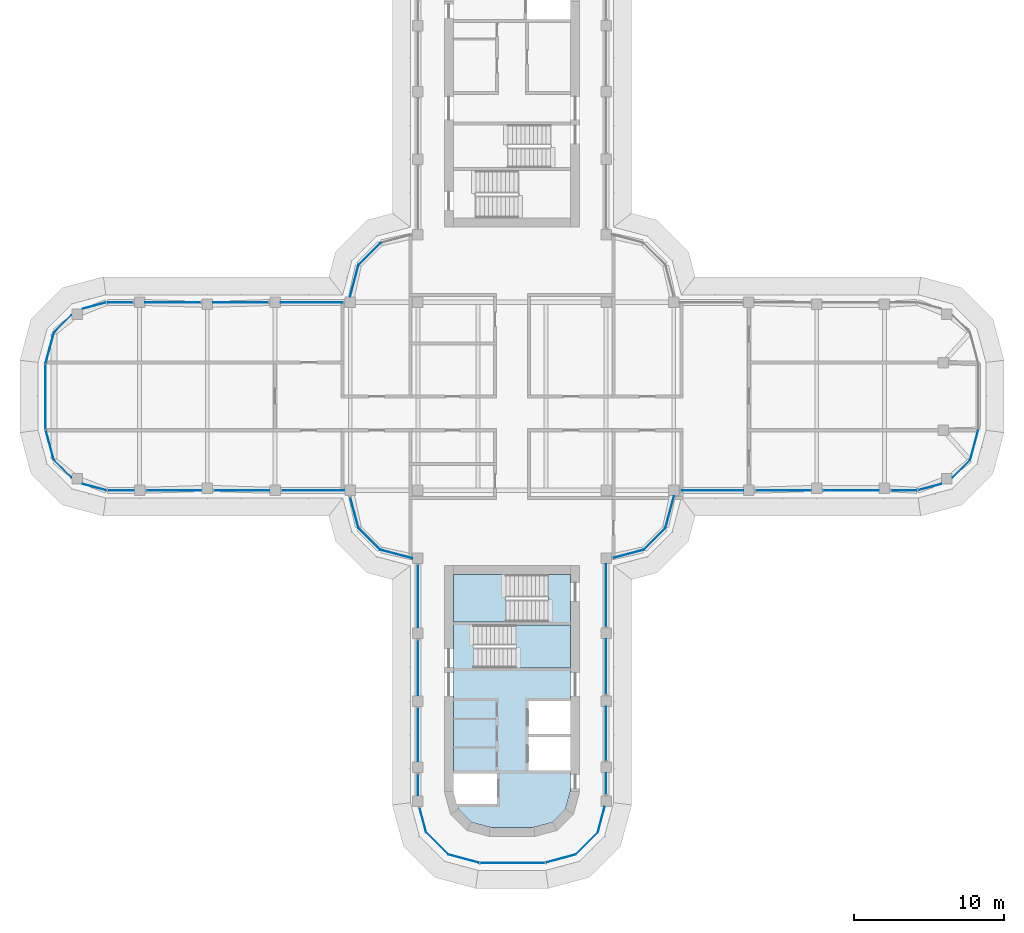
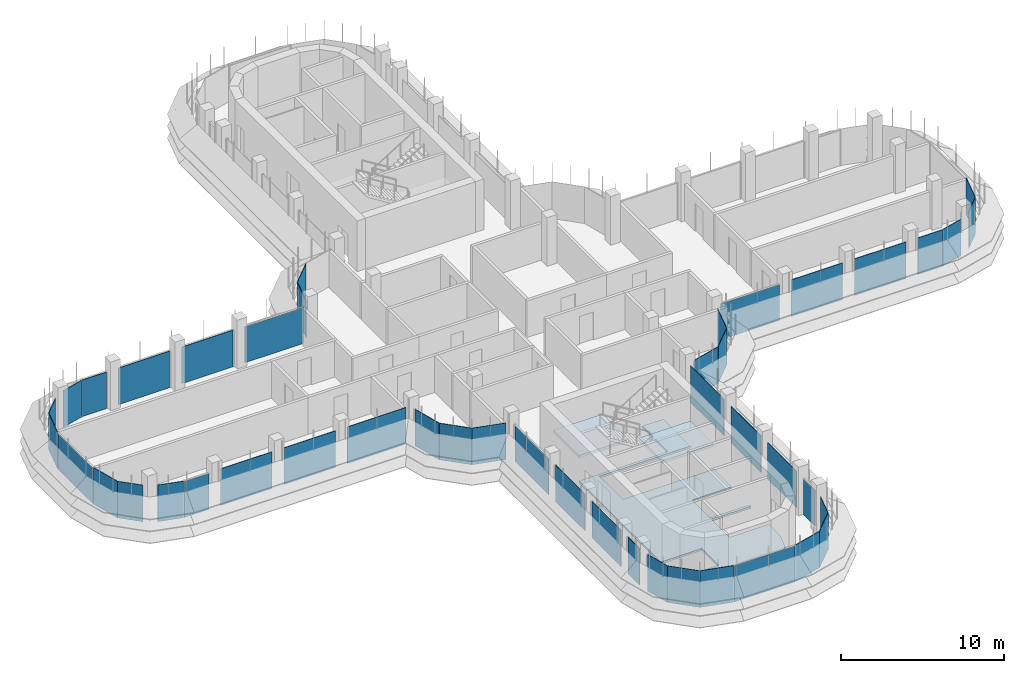
# One storey, part 11 of 19: 45 plates, 3 slabs, 32 elements without a shape of their own.
"""IFC4 building model written with IfcOpenShell, lengths in metres."""

from ifc_helpers import new_model, si_unit, direction, frame, origin, place, context, subcontext, project, spatial, polyline, outline, extrude, source, transform, mapped, material, layer, layer_set, type_object, element, aggregate, save


model = new_model("IFC4")

# Units and contexts
model_context = context("Model", 3, precision=1e-05, world=origin(), true_north=direction((0.0, 1.0)))
body_context = subcontext(model_context, "Body", "Model", "MODEL_VIEW")
ifc_project = project(units=[si_unit("LENGTHUNIT", "METRE"), si_unit("AREAUNIT", "SQUARE_METRE"), si_unit("VOLUMEUNIT", "CUBIC_METRE"), si_unit("PLANEANGLEUNIT", "RADIAN"), si_unit("MASSUNIT", "GRAM", prefix="KILO")], contexts=[model_context])

# Site, building, storey
site_placement = place(None, origin())
site = spatial("IfcSite", under=ifc_project, at=site_placement, CompositionType="ELEMENT")
building_placement = place(site_placement, origin())
building = spatial("IfcBuilding", under=site, at=building_placement, Name="Zarbagh Exchange Tower", CompositionType="ELEMENT")
storey_placement = place(building_placement, frame((0.0, 0.0, 195.39990234375)))
storey = spatial("IfcBuildingStorey", under=building, at=storey_placement, Name="L47", CompositionType="ELEMENT", Elevation=195.39990234375)

# Slab
ifc_material_1 = material(Name="Concrete C40/50", Category="concrete")
ifc_layer_1 = layer(ifc_material_1, 0.14990234375)
ifc_layer_set_1 = layer_set([ifc_layer_1], Name="Core floor slab 150 C40/50")
slab_type_1 = type_object("IfcSlabType", Name="Core floor slab 150 C40/50", PredefinedType="FLOOR", material=ifc_layer_set_1)
slab_1_placement = place(storey_placement, frame((0.0, 0.0, -0.14990234375)))
element("IfcSlab", 1, at=slab_1_placement, inside=storey, type_object=slab_type_1, Name="S17 core S", PredefinedType="FLOOR", context=body_context, shape_type="SweptSolid", body=[
    extrude(outline(polyline([(-2.689453125, -28.31005859375), (-3.56005859375, -27.439453125), (-3.651123046875, -27.10009765625), (-1.0, -27.10009765625), (-1.0, -25.050048828125), (-3.89990234375, -25.050048828125), (-3.89990234375, -15.0), (2.39990234375, -15.0), (2.39990234375, -11.85009765625), (3.89990234375, -11.85009765625), (3.89990234375, -15.199951171875), (-2.550048828125, -15.199951171875), (-2.550048828125, -18.050048828125), (3.89990234375, -18.050048828125), (3.89990234375, -20.25), (1.10009765625, -20.25), (1.10009765625, -22.449951171875), (3.89990234375, -22.449951171875), (3.89990234375, -22.64990234375), (1.10009765625, -22.64990234375), (1.10009765625, -24.85009765625), (3.89990234375, -24.85009765625), (3.89990234375, -26.1708984375), (3.56005859375, -27.439453125), (2.689453125, -28.31005859375), (1.4208984375, -28.64990234375), (-1.4208984375, -28.64990234375), (-2.689453125, -28.31005859375)])), origin(), (0.0, 0.0, 1.0), 0.14990234375),
])

# Stair, slab
stair_type = type_object("IfcStairType", Name="Exit stair two-flight half-turn", PredefinedType="HALF_TURN_STAIR", material=ifc_material_1)
stair_1_placement = place(storey_placement, origin())
stair_1 = element("IfcStair", 2, at=stair_1_placement, inside=storey, type_object=stair_type, Name="exit stair ST3", PredefinedType="HALF_TURN_STAIR")
ifc_layer_2 = layer(ifc_material_1, 0.199951171875)
ifc_layer_set_2 = layer_set([ifc_layer_2], Name="Stair landing 200 mm")
slab_type_2 = type_object("IfcSlabType", Name="Stair landing 200 mm", PredefinedType="LANDING", material=ifc_layer_set_2)
slab_2_placement = place(storey_placement, frame((0.0, 0.0, 1.7001953125)))
slab_2 = element("IfcSlab", 3, at=slab_2_placement, type_object=slab_type_2, Name="ST3 landing 1", PredefinedType="LANDING", context=body_context, shape_type="SweptSolid", body=[
    extrude(outline(polyline([(0.25, -18.050048828125), (3.89990234375, -18.050048828125), (3.89990234375, -15.199951171875), (0.25, -15.199951171875), (0.25, -18.050048828125)])), origin(), (0.0, 0.0, 1.0), 0.199951171875),
])
aggregate(stair_1, [slab_2])

stair_2_placement = place(storey_placement, origin())
stair_2 = element("IfcStair", 4, at=stair_2_placement, inside=storey, type_object=stair_type, Name="exit stair ST4", PredefinedType="HALF_TURN_STAIR")
slab_3_placement = place(storey_placement, frame((0.0, 0.0, 1.7001953125)))
slab_3 = element("IfcSlab", 5, at=slab_3_placement, type_object=slab_type_2, Name="ST4 landing 1", PredefinedType="LANDING", context=body_context, shape_type="SweptSolid", body=[
    extrude(outline(polyline([(-0.39990234375, -11.85009765625), (-3.89990234375, -11.85009765625), (-3.89990234375, -15.0), (-0.39990234375, -15.0), (-0.39990234375, -11.85009765625)])), origin(), (0.0, 0.0, 1.0), 0.199951171875),
])
aggregate(stair_2, [slab_3])

# Curtain wall, plate
ifc_material_2 = material(Name="Anodised aluminium frame and glazing", Category="aluminium")
curtain_wall_type = type_object("IfcCurtainWallType", Name="CWB Ribbon glazing, upper zones", PredefinedType="NOTDEFINED", material=ifc_material_2)
curtain_wall_1_placement = place(storey_placement, origin())
curtain_wall_1 = element("IfcCurtainWall", 6, at=curtain_wall_1_placement, inside=storey, type_object=curtain_wall_type, Name="CWB50 curtain wall", PredefinedType="NOTDEFINED")
ifc_material_3 = material(Name="Low-e double glazed unit, 6+12+6 mm")
ifc_layer_3 = layer(ifc_material_3, 0.031982421875)
ifc_layer_set_3 = layer_set([ifc_layer_3], Name="PAB Glazing panel, Low-e double glazed unit, 6+12+6 mm")
plate_type = type_object("IfcPlateType", Name="PAB Glazing panel, Low-e double glazed unit, 6+12+6 mm", PredefinedType="CURTAIN_PANEL", material=ifc_layer_set_3)
shared_shape_1 = source(origin(), body_context, "Body", "SweptSolid", [
    extrude(outline(polyline([(0.0, -0.01611328125), (2.061279296875, -0.01611328125), (2.061279296875, 0.01611328125), (0.0, 0.01611328125), (0.0, -0.01611328125)])), origin(), (0.0, 0.0, 1.0), 2.75),
])
placement = place(storey_placement, origin())
plate_1 = element("IfcPlate", 7, at=placement, type_object=plate_type, Name="CWB50 glazing panel 1.1", PredefinedType="CURTAIN_PANEL", context=body_context, shape_type="MappedRepresentation", body=[
    mapped(shared_shape_1, transform((4.2412109375, -30.44873046875, 0.0), x_axis=(0.707106781187, 0.707106781187, 0.0), y_axis=(-0.707106781187, 0.707106781187, 0.0), z_axis=(0.0, 0.0, 1.0))),
])
aggregate(curtain_wall_1, [plate_1])

curtain_wall_2_placement = place(storey_placement, origin())
curtain_wall_2 = element("IfcCurtainWall", 8, at=curtain_wall_2_placement, inside=storey, type_object=curtain_wall_type, Name="CWB06 curtain wall", PredefinedType="NOTDEFINED")
plate_2 = element("IfcPlate", 9, at=placement, type_object=plate_type, Name="CWB06 glazing panel 1.1", PredefinedType="CURTAIN_PANEL", context=body_context, shape_type="MappedRepresentation", body=[
    mapped(shared_shape_1, transform((8.7412109375, -10.19873046875, 0.0), x_axis=(0.707106781187, 0.707106781187, 0.0), y_axis=(-0.707106781187, 0.707106781187, 0.0), z_axis=(0.0, 0.0, 1.0))),
])
aggregate(curtain_wall_2, [plate_2])

curtain_wall_3_placement = place(storey_placement, origin())
curtain_wall_3 = element("IfcCurtainWall", 10, at=curtain_wall_3_placement, inside=storey, type_object=curtain_wall_type, Name="CWB30 curtain wall", PredefinedType="NOTDEFINED")
plate_3 = element("IfcPlate", 11, at=placement, type_object=plate_type, Name="CWB30 glazing panel 1.1", PredefinedType="CURTAIN_PANEL", context=body_context, shape_type="MappedRepresentation", body=[
    mapped(shared_shape_1, transform((-8.7412109375, 10.19873046875, 0.0), x_axis=(-0.707106781187, -0.707106781187, 0.0), y_axis=(0.707106781187, -0.707106781187, 0.0), z_axis=(0.0, 0.0, 1.0))),
])
aggregate(curtain_wall_3, [plate_3])

curtain_wall_4_placement = place(storey_placement, origin())
curtain_wall_4 = element("IfcCurtainWall", 12, at=curtain_wall_4_placement, inside=storey, type_object=curtain_wall_type, Name="CWB42 curtain wall", PredefinedType="NOTDEFINED")
plate_4 = element("IfcPlate", 13, at=placement, type_object=plate_type, Name="CWB42 glazing panel 1.1", PredefinedType="CURTAIN_PANEL", context=body_context, shape_type="MappedRepresentation", body=[
    mapped(shared_shape_1, transform((-10.19873046875, -8.7412109375, 0.0), x_axis=(0.707106781187, -0.707106781187, 0.0), y_axis=(0.707106781187, 0.707106781187, 0.0), z_axis=(0.0, 0.0, 1.0))),
])
aggregate(curtain_wall_4, [plate_4])

curtain_wall_5_placement = place(storey_placement, origin())
curtain_wall_5 = element("IfcCurtainWall", 14, at=curtain_wall_5_placement, inside=storey, type_object=curtain_wall_type, Name="CWB55 curtain wall", PredefinedType="NOTDEFINED")
plate_5 = element("IfcPlate", 15, at=placement, type_object=plate_type, Name="CWB55 glazing panel 1.1", PredefinedType="CURTAIN_PANEL", context=body_context, shape_type="MappedRepresentation", body=[
    mapped(shared_shape_1, transform((-5.69873046875, -28.9912109375, 0.0), x_axis=(0.707106781187, -0.707106781187, 0.0), y_axis=(0.707106781187, 0.707106781187, 0.0), z_axis=(0.0, 0.0, 1.0))),
])
aggregate(curtain_wall_5, [plate_5])

curtain_wall_6_placement = place(storey_placement, origin())
curtain_wall_6 = element("IfcCurtainWall", 16, at=curtain_wall_6_placement, inside=storey, type_object=curtain_wall_type, Name="CWB11 curtain wall", PredefinedType="NOTDEFINED")
shared_shape_2 = source(origin(), body_context, "Body", "SweptSolid", [
    extrude(outline(polyline([(0.0, -0.01611328125), (2.129638671875, -0.01611328125), (2.129638671875, 0.01611328125), (0.0, 0.01611328125), (0.0, -0.01611328125)])), origin(), (0.0, 0.0, 1.0), 2.75),
])
plate_6 = element("IfcPlate", 17, at=placement, type_object=plate_type, Name="CWB11 glazing panel 1.1", PredefinedType="CURTAIN_PANEL", context=body_context, shape_type="MappedRepresentation", body=[
    mapped(shared_shape_2, transform((30.44873046875, -4.2412109375, 0.0), x_axis=(0.258824779902, 0.965924289636, 0.0), y_axis=(-0.965924289636, 0.258824779902, 0.0), z_axis=(0.0, 0.0, 1.0))),
])
aggregate(curtain_wall_6, [plate_6])

curtain_wall_7_placement = place(storey_placement, origin())
curtain_wall_7 = element("IfcCurtainWall", 18, at=curtain_wall_7_placement, inside=storey, type_object=curtain_wall_type, Name="CWB61 curtain wall", PredefinedType="NOTDEFINED")
plate_7 = element("IfcPlate", 19, at=placement, type_object=plate_type, Name="CWB61 glazing panel 1.1", PredefinedType="CURTAIN_PANEL", context=body_context, shape_type="MappedRepresentation", body=[
    mapped(shared_shape_2, transform((-30.44873046875, 4.2412109375, 0.0), x_axis=(-0.258824779902, -0.965924289636, 0.0), y_axis=(0.965924289636, -0.258824779902, 0.0), z_axis=(0.0, 0.0, 1.0))),
])
aggregate(curtain_wall_7, [plate_7])

curtain_wall_8_placement = place(storey_placement, origin())
curtain_wall_8 = element("IfcCurtainWall", 20, at=curtain_wall_8_placement, inside=storey, type_object=curtain_wall_type, Name="CWB56 curtain wall", PredefinedType="NOTDEFINED")
plate_8 = element("IfcPlate", 21, at=placement, type_object=plate_type, Name="CWB56 glazing panel 1.1", PredefinedType="CURTAIN_PANEL", context=body_context, shape_type="MappedRepresentation", body=[
    mapped(shared_shape_2, transform((-4.2412109375, -30.44873046875, 0.0), x_axis=(0.965924289636, -0.258824779902, 0.0), y_axis=(0.258824779902, 0.965924289636, 0.0), z_axis=(0.0, 0.0, 1.0))),
])
aggregate(curtain_wall_8, [plate_8])

curtain_wall_9_placement = place(storey_placement, origin())
curtain_wall_9 = element("IfcCurtainWall", 22, at=curtain_wall_9_placement, inside=storey, type_object=curtain_wall_type, Name="CWB52 curtain wall", PredefinedType="NOTDEFINED")
shared_shape_3 = source(origin(), body_context, "Body", "SweptSolid", [
    extrude(outline(polyline([(0.0, -0.01611328125), (3.56005859375, -0.01611328125), (3.56005859375, 0.01611328125), (0.0, 0.01611328125), (0.0, -0.01611328125)])), origin(), (0.0, 0.0, 1.0), 2.75),
])
plate_9 = element("IfcPlate", 23, at=placement, type_object=plate_type, Name="CWB52 glazing panel 2.1", PredefinedType="CURTAIN_PANEL", context=body_context, shape_type="MappedRepresentation", body=[
    mapped(shared_shape_3, transform((6.25, -24.199951171875, 0.0), x_axis=(0.0, 1.0, 0.0), y_axis=(-1.0, 0.0, 0.0), z_axis=(0.0, 0.0, 1.0))),
])

curtain_wall_10_placement = place(storey_placement, origin())
curtain_wall_10 = element("IfcCurtainWall", 24, at=curtain_wall_10_placement, inside=storey, type_object=curtain_wall_type, Name="CWB53 curtain wall", PredefinedType="NOTDEFINED")
plate_10 = element("IfcPlate", 25, at=placement, type_object=plate_type, Name="CWB53 glazing panel 3.1", PredefinedType="CURTAIN_PANEL", context=body_context, shape_type="MappedRepresentation", body=[
    mapped(shared_shape_3, transform((-6.25, -20.699951171875, 0.0), x_axis=(0.0, -1.0, 0.0), y_axis=(1.0, 0.0, 0.0), z_axis=(0.0, 0.0, 1.0))),
])

curtain_wall_11_placement = place(storey_placement, origin())
curtain_wall_11 = element("IfcCurtainWall", 26, at=curtain_wall_11_placement, inside=storey, type_object=curtain_wall_type, Name="CWB66 curtain wall", PredefinedType="NOTDEFINED")
shared_shape_4 = source(origin(), body_context, "Body", "SweptSolid", [
    extrude(outline(polyline([(0.0, -0.01611328125), (4.308349609375, -0.01611328125), (4.308349609375, 0.01611328125), (0.0, 0.01611328125), (0.0, -0.01611328125)])), origin(), (0.0, 0.0, 1.0), 2.68994140625),
])
plate_11 = element("IfcPlate", 27, at=placement, type_object=plate_type, Name="CWB66 glazing panel 1.1", PredefinedType="CURTAIN_PANEL", context=body_context, shape_type="MappedRepresentation", body=[
    mapped(shared_shape_4, transform((-31.0, 2.124267578125, 0.0), x_axis=(0.0, -1.0, 0.0), y_axis=(1.0, 0.0, 0.0), z_axis=(0.0, 0.0, 1.0))),
])
aggregate(curtain_wall_11, [plate_11])

curtain_wall_12_placement = place(storey_placement, origin())
curtain_wall_12 = element("IfcCurtainWall", 28, at=curtain_wall_12_placement, inside=storey, type_object=curtain_wall_type, Name="CWB57 curtain wall", PredefinedType="NOTDEFINED")
plate_12 = element("IfcPlate", 29, at=placement, type_object=plate_type, Name="CWB57 glazing panel 1.1", PredefinedType="CURTAIN_PANEL", context=body_context, shape_type="MappedRepresentation", body=[
    mapped(shared_shape_4, transform((-2.124267578125, -31.0, 0.0), x_axis=(1.0, 0.0, 0.0), y_axis=(0.0, 1.0, 0.0), z_axis=(0.0, 0.0, 1.0))),
])
aggregate(curtain_wall_12, [plate_12])

curtain_wall_13_placement = place(storey_placement, origin())
curtain_wall_13 = element("IfcCurtainWall", 30, at=curtain_wall_13_placement, inside=storey, type_object=curtain_wall_type, Name="CWB49 curtain wall", PredefinedType="NOTDEFINED")
shared_shape_5 = source(origin(), body_context, "Body", "SweptSolid", [
    extrude(outline(polyline([(0.0, -0.01611328125), (2.069580078125, -0.01611328125), (2.069580078125, 0.01611328125), (0.0, 0.01611328125), (0.0, -0.01611328125)])), origin(), (0.0, 0.0, 1.0), 2.75),
])
plate_13 = element("IfcPlate", 31, at=placement, type_object=plate_type, Name="CWB49 glazing panel 1.1", PredefinedType="CURTAIN_PANEL", context=body_context, shape_type="MappedRepresentation", body=[
    mapped(shared_shape_5, transform((2.2421875, -30.984375, 0.0), x_axis=(0.965924289636, 0.258824779902, 0.0), y_axis=(-0.258824779902, 0.965924289636, 0.0), z_axis=(0.0, 0.0, 1.0))),
])
aggregate(curtain_wall_13, [plate_13])

curtain_wall_14_placement = place(storey_placement, origin())
curtain_wall_14 = element("IfcCurtainWall", 32, at=curtain_wall_14_placement, inside=storey, type_object=curtain_wall_type, Name="CWB62 curtain wall", PredefinedType="NOTDEFINED")
plate_14 = element("IfcPlate", 33, at=placement, type_object=plate_type, Name="CWB62 glazing panel 1.1", PredefinedType="CURTAIN_PANEL", context=body_context, shape_type="MappedRepresentation", body=[
    mapped(shared_shape_5, transform((-30.984375, -2.2421875, 0.0), x_axis=(0.258824779902, -0.965924289636, 0.0), y_axis=(0.965924289636, 0.258824779902, 0.0), z_axis=(0.0, 0.0, 1.0))),
])
aggregate(curtain_wall_14, [plate_14])

curtain_wall_15_placement = place(storey_placement, origin())
curtain_wall_15 = element("IfcCurtainWall", 34, at=curtain_wall_15_placement, inside=storey, type_object=curtain_wall_type, Name="CWB51 curtain wall", PredefinedType="NOTDEFINED")
shared_shape_6 = source(origin(), body_context, "Body", "SweptSolid", [
    extrude(outline(polyline([(0.0, -0.01611328125), (1.76123046875, -0.01611328125), (1.76123046875, 0.01611328125), (0.0, 0.01611328125), (0.0, -0.01611328125)])), origin(), (0.0, 0.0, 1.0), 2.75),
])
plate_15 = element("IfcPlate", 35, at=placement, type_object=plate_type, Name="CWB51 glazing panel 1.1", PredefinedType="CURTAIN_PANEL", context=body_context, shape_type="MappedRepresentation", body=[
    mapped(shared_shape_6, transform((5.69873046875, -28.9912109375, 0.0), x_axis=(0.258824779902, 0.965924289636, 0.0), y_axis=(-0.965924289636, 0.258824779902, 0.0), z_axis=(0.0, 0.0, 1.0))),
])
aggregate(curtain_wall_15, [plate_15])

# Plate
shared_shape_7 = source(origin(), body_context, "Body", "SweptSolid", [
    extrude(outline(polyline([(0.0, -0.01611328125), (1.409912109375, -0.01611328125), (1.409912109375, 0.01611328125), (0.0, 0.01611328125), (0.0, -0.01611328125)])), origin(), (0.0, 0.0, 1.0), 2.68994140625),
])
plate_16 = element("IfcPlate", 36, at=placement, type_object=plate_type, Name="CWB52 glazing panel 1.1", PredefinedType="CURTAIN_PANEL", context=body_context, shape_type="MappedRepresentation", body=[
    mapped(shared_shape_7, transform((6.25, -26.449951171875, 0.0), x_axis=(0.0, 1.0, 0.0), y_axis=(-1.0, 0.0, 0.0), z_axis=(0.0, 0.0, 1.0))),
])

shared_shape_8 = source(origin(), body_context, "Body", "SweptSolid", [
    extrude(outline(polyline([(0.0, -0.01611328125), (3.659912109375, -0.01611328125), (3.659912109375, 0.01611328125), (0.0, 0.01611328125), (0.0, -0.01611328125)])), origin(), (0.0, 0.0, 1.0), 2.75),
])
plate_17 = element("IfcPlate", 37, at=placement, type_object=plate_type, Name="CWB52 glazing panel 3.1", PredefinedType="CURTAIN_PANEL", context=body_context, shape_type="MappedRepresentation", body=[
    mapped(shared_shape_8, transform((6.25, -19.800048828125, 0.0), x_axis=(0.0, 1.0, 0.0), y_axis=(-1.0, 0.0, 0.0), z_axis=(0.0, 0.0, 1.0))),
])

# Curtain wall, plates
curtain_wall_16_placement = place(storey_placement, origin())
curtain_wall_16 = element("IfcCurtainWall", 38, at=curtain_wall_16_placement, inside=storey, type_object=curtain_wall_type, Name="CWB08 curtain wall", PredefinedType="NOTDEFINED")
plate_18 = element("IfcPlate", 39, at=placement, type_object=plate_type, Name="CWB08 glazing panel 2.1", PredefinedType="CURTAIN_PANEL", context=body_context, shape_type="MappedRepresentation", body=[
    mapped(shared_shape_8, transform((16.199951171875, -6.25, 0.0), x_axis=(1.0, 0.0, 0.0), y_axis=(0.0, 1.0, 0.0), z_axis=(0.0, 0.0, 1.0))),
])
plate_19 = element("IfcPlate", 40, at=placement, type_object=plate_type, Name="CWB08 glazing panel 3.1", PredefinedType="CURTAIN_PANEL", context=body_context, shape_type="MappedRepresentation", body=[
    mapped(shared_shape_8, transform((20.699951171875, -6.25, 0.0), x_axis=(1.0, 0.0, 0.0), y_axis=(0.0, 1.0, 0.0), z_axis=(0.0, 0.0, 1.0))),
])

curtain_wall_17_placement = place(storey_placement, origin())
curtain_wall_17 = element("IfcCurtainWall", 41, at=curtain_wall_17_placement, inside=storey, type_object=curtain_wall_type, Name="CWB58 curtain wall", PredefinedType="NOTDEFINED")
plate_20 = element("IfcPlate", 42, at=placement, type_object=plate_type, Name="CWB58 glazing panel 2.1", PredefinedType="CURTAIN_PANEL", context=body_context, shape_type="MappedRepresentation", body=[
    mapped(shared_shape_8, transform((-16.199951171875, 6.25, 0.0), x_axis=(-1.0, 0.0, 0.0), y_axis=(0.0, -1.0, 0.0), z_axis=(0.0, 0.0, 1.0))),
])
plate_21 = element("IfcPlate", 43, at=placement, type_object=plate_type, Name="CWB58 glazing panel 3.1", PredefinedType="CURTAIN_PANEL", context=body_context, shape_type="MappedRepresentation", body=[
    mapped(shared_shape_8, transform((-20.699951171875, 6.25, 0.0), x_axis=(-1.0, 0.0, 0.0), y_axis=(0.0, -1.0, 0.0), z_axis=(0.0, 0.0, 1.0))),
])

curtain_wall_18_placement = place(storey_placement, origin())
curtain_wall_18 = element("IfcCurtainWall", 44, at=curtain_wall_18_placement, inside=storey, type_object=curtain_wall_type, Name="CWB65 curtain wall", PredefinedType="NOTDEFINED")
plate_22 = element("IfcPlate", 45, at=placement, type_object=plate_type, Name="CWB65 glazing panel 2.1", PredefinedType="CURTAIN_PANEL", context=body_context, shape_type="MappedRepresentation", body=[
    mapped(shared_shape_8, transform((-24.300048828125, -6.25, 0.0), x_axis=(1.0, 0.0, 0.0), y_axis=(0.0, 1.0, 0.0), z_axis=(0.0, 0.0, 1.0))),
])
plate_23 = element("IfcPlate", 46, at=placement, type_object=plate_type, Name="CWB65 glazing panel 3.1", PredefinedType="CURTAIN_PANEL", context=body_context, shape_type="MappedRepresentation", body=[
    mapped(shared_shape_8, transform((-19.800048828125, -6.25, 0.0), x_axis=(1.0, 0.0, 0.0), y_axis=(0.0, 1.0, 0.0), z_axis=(0.0, 0.0, 1.0))),
])

# Plate
plate_24 = element("IfcPlate", 47, at=placement, type_object=plate_type, Name="CWB53 glazing panel 2.1", PredefinedType="CURTAIN_PANEL", context=body_context, shape_type="MappedRepresentation", body=[
    mapped(shared_shape_8, transform((-6.25, -16.199951171875, 0.0), x_axis=(0.0, -1.0, 0.0), y_axis=(1.0, 0.0, 0.0), z_axis=(0.0, 0.0, 1.0))),
])

shared_shape_9 = source(origin(), body_context, "Body", "SweptSolid", [
    extrude(outline(polyline([(0.0, -0.01611328125), (4.159912109375, -0.01611328125), (4.159912109375, 0.01611328125), (0.0, 0.01611328125), (0.0, -0.01611328125)])), origin(), (0.0, 0.0, 1.0), 2.75),
])
plate_25 = element("IfcPlate", 48, at=placement, type_object=plate_type, Name="CWB52 glazing panel 4.1", PredefinedType="CURTAIN_PANEL", context=body_context, shape_type="MappedRepresentation", body=[
    mapped(shared_shape_9, transform((6.25, -15.300048828125, 0.0), x_axis=(0.0, 1.0, 0.0), y_axis=(-1.0, 0.0, 0.0), z_axis=(0.0, 0.0, 1.0))),
])

aggregate(curtain_wall_9, [plate_16, plate_9, plate_17, plate_25])

plate_26 = element("IfcPlate", 49, at=placement, type_object=plate_type, Name="CWB65 glazing panel 4.1", PredefinedType="CURTAIN_PANEL", context=body_context, shape_type="MappedRepresentation", body=[
    mapped(shared_shape_9, transform((-15.300048828125, -6.25, 0.0), x_axis=(1.0, 0.0, 0.0), y_axis=(0.0, 1.0, 0.0), z_axis=(0.0, 0.0, 1.0))),
])

# Curtain wall, plate
curtain_wall_19_placement = place(storey_placement, origin())
curtain_wall_19 = element("IfcCurtainWall", 50, at=curtain_wall_19_placement, inside=storey, type_object=curtain_wall_type, Name="CWB05 curtain wall", PredefinedType="NOTDEFINED")
shared_shape_10 = source(origin(), body_context, "Body", "SweptSolid", [
    extrude(outline(polyline([(0.0, -0.01611328125), (2.115234375, -0.01611328125), (2.115234375, 0.01611328125), (0.0, 0.01611328125), (0.0, -0.01611328125)])), origin(), (0.0, 0.0, 1.0), 2.75),
])
plate_27 = element("IfcPlate", 51, at=placement, type_object=plate_type, Name="CWB05 glazing panel 1.1", PredefinedType="CURTAIN_PANEL", context=body_context, shape_type="MappedRepresentation", body=[
    mapped(shared_shape_10, transform((6.697998046875, -10.746337890625, 0.0), x_axis=(0.965924289636, 0.258824779902, 0.0), y_axis=(-0.258824779902, 0.965924289636, 0.0), z_axis=(0.0, 0.0, 1.0))),
])
aggregate(curtain_wall_19, [plate_27])

curtain_wall_20_placement = place(storey_placement, origin())
curtain_wall_20 = element("IfcCurtainWall", 52, at=curtain_wall_20_placement, inside=storey, type_object=curtain_wall_type, Name="CWB41 curtain wall", PredefinedType="NOTDEFINED")
plate_28 = element("IfcPlate", 53, at=placement, type_object=plate_type, Name="CWB41 glazing panel 1.1", PredefinedType="CURTAIN_PANEL", context=body_context, shape_type="MappedRepresentation", body=[
    mapped(shared_shape_10, transform((-10.746337890625, -6.697998046875, 0.0), x_axis=(0.258824779902, -0.965924289636, 0.0), y_axis=(0.965924289636, 0.258824779902, 0.0), z_axis=(0.0, 0.0, 1.0))),
])
aggregate(curtain_wall_20, [plate_28])

curtain_wall_21_placement = place(storey_placement, origin())
curtain_wall_21 = element("IfcCurtainWall", 54, at=curtain_wall_21_placement, inside=storey, type_object=curtain_wall_type, Name="CWB07 curtain wall", PredefinedType="NOTDEFINED")
shared_shape_11 = source(origin(), body_context, "Body", "SweptSolid", [
    extrude(outline(polyline([(0.0, -0.01611328125), (2.17529296875, -0.01611328125), (2.17529296875, 0.01611328125), (0.0, 0.01611328125), (0.0, -0.01611328125)])), origin(), (0.0, 0.0, 1.0), 2.75),
])
plate_29 = element("IfcPlate", 55, at=placement, type_object=plate_type, Name="CWB07 glazing panel 1.1", PredefinedType="CURTAIN_PANEL", context=body_context, shape_type="MappedRepresentation", body=[
    mapped(shared_shape_11, transform((10.19873046875, -8.7412109375, 0.0), x_axis=(0.258824779902, 0.965924289636, 0.0), y_axis=(-0.965924289636, 0.258824779902, 0.0), z_axis=(0.0, 0.0, 1.0))),
])
aggregate(curtain_wall_21, [plate_29])

curtain_wall_22_placement = place(storey_placement, origin())
curtain_wall_22 = element("IfcCurtainWall", 56, at=curtain_wall_22_placement, inside=storey, type_object=curtain_wall_type, Name="CWB31 curtain wall", PredefinedType="NOTDEFINED")
plate_30 = element("IfcPlate", 57, at=placement, type_object=plate_type, Name="CWB31 glazing panel 1.1", PredefinedType="CURTAIN_PANEL", context=body_context, shape_type="MappedRepresentation", body=[
    mapped(shared_shape_11, transform((-10.19873046875, 8.7412109375, 0.0), x_axis=(-0.258824779902, -0.965924289636, 0.0), y_axis=(0.965924289636, -0.258824779902, 0.0), z_axis=(0.0, 0.0, 1.0))),
])
aggregate(curtain_wall_22, [plate_30])

curtain_wall_23_placement = place(storey_placement, origin())
curtain_wall_23 = element("IfcCurtainWall", 58, at=curtain_wall_23_placement, inside=storey, type_object=curtain_wall_type, Name="CWB43 curtain wall", PredefinedType="NOTDEFINED")
plate_31 = element("IfcPlate", 59, at=placement, type_object=plate_type, Name="CWB43 glazing panel 1.1", PredefinedType="CURTAIN_PANEL", context=body_context, shape_type="MappedRepresentation", body=[
    mapped(shared_shape_11, transform((-8.7412109375, -10.19873046875, 0.0), x_axis=(0.965924289636, -0.258824779902, 0.0), y_axis=(0.258824779902, 0.965924289636, 0.0), z_axis=(0.0, 0.0, 1.0))),
])
aggregate(curtain_wall_23, [plate_31])

# Plate
shared_shape_12 = source(origin(), body_context, "Body", "SweptSolid", [
    extrude(outline(polyline([(0.0, -0.01611328125), (4.159912109375, -0.01611328125), (4.159912109375, 0.01611328125), (0.0, 0.01611328125), (0.0, -0.01611328125)])), origin(), (0.0, 0.0, 1.0), 2.68994140625),
])
plate_32 = element("IfcPlate", 60, at=placement, type_object=plate_type, Name="CWB08 glazing panel 1.1", PredefinedType="CURTAIN_PANEL", context=body_context, shape_type="MappedRepresentation", body=[
    mapped(shared_shape_12, transform((11.199951171875, -6.25, 0.0), x_axis=(1.0, 0.0, 0.0), y_axis=(0.0, 1.0, 0.0), z_axis=(0.0, 0.0, 1.0))),
])

plate_33 = element("IfcPlate", 61, at=placement, type_object=plate_type, Name="CWB58 glazing panel 1.1", PredefinedType="CURTAIN_PANEL", context=body_context, shape_type="MappedRepresentation", body=[
    mapped(shared_shape_12, transform((-11.199951171875, 6.25, 0.0), x_axis=(-1.0, 0.0, 0.0), y_axis=(0.0, -1.0, 0.0), z_axis=(0.0, 0.0, 1.0))),
])

plate_34 = element("IfcPlate", 62, at=placement, type_object=plate_type, Name="CWB53 glazing panel 1.1", PredefinedType="CURTAIN_PANEL", context=body_context, shape_type="MappedRepresentation", body=[
    mapped(shared_shape_12, transform((-6.25, -11.199951171875, 0.0), x_axis=(0.0, -1.0, 0.0), y_axis=(1.0, 0.0, 0.0), z_axis=(0.0, 0.0, 1.0))),
])

shared_shape_13 = source(origin(), body_context, "Body", "SweptSolid", [
    extrude(outline(polyline([(0.0, -0.01611328125), (1.734130859375, -0.01611328125), (1.734130859375, 0.01611328125), (0.0, 0.01611328125), (0.0, -0.01611328125)])), origin(), (0.0, 0.0, 1.0), 2.75),
])
plate_35 = element("IfcPlate", 63, at=placement, type_object=plate_type, Name="CWB08 glazing panel 4.1", PredefinedType="CURTAIN_PANEL", context=body_context, shape_type="MappedRepresentation", body=[
    mapped(shared_shape_13, transform((25.199951171875, -6.25, 0.0), x_axis=(1.0, 0.0, 0.0), y_axis=(0.0, 1.0, 0.0), z_axis=(0.0, 0.0, 1.0))),
])

aggregate(curtain_wall_16, [plate_32, plate_18, plate_19, plate_35])

plate_36 = element("IfcPlate", 64, at=placement, type_object=plate_type, Name="CWB58 glazing panel 4.1", PredefinedType="CURTAIN_PANEL", context=body_context, shape_type="MappedRepresentation", body=[
    mapped(shared_shape_13, transform((-25.199951171875, 6.25, 0.0), x_axis=(-1.0, 0.0, 0.0), y_axis=(0.0, -1.0, 0.0), z_axis=(0.0, 0.0, 1.0))),
])

aggregate(curtain_wall_17, [plate_33, plate_20, plate_21, plate_36])

# Curtain wall, plate
curtain_wall_24_placement = place(storey_placement, origin())
curtain_wall_24 = element("IfcCurtainWall", 65, at=curtain_wall_24_placement, inside=storey, type_object=curtain_wall_type, Name="CWB09 curtain wall", PredefinedType="NOTDEFINED")
shared_shape_14 = source(origin(), body_context, "Body", "SweptSolid", [
    extrude(outline(polyline([(0.0, -0.01611328125), (1.57958984375, -0.01611328125), (1.57958984375, 0.01611328125), (0.0, 0.01611328125), (0.0, -0.01611328125)])), origin(), (0.0, 0.0, 1.0), 2.75),
])
plate_37 = element("IfcPlate", 66, at=placement, type_object=plate_type, Name="CWB09 glazing panel 1.1", PredefinedType="CURTAIN_PANEL", context=body_context, shape_type="MappedRepresentation", body=[
    mapped(shared_shape_14, transform((26.9921875, -6.234375, 0.0), x_axis=(0.965924289636, 0.258824779902, 0.0), y_axis=(-0.258824779902, 0.965924289636, 0.0), z_axis=(0.0, 0.0, 1.0))),
])
aggregate(curtain_wall_24, [plate_37])

curtain_wall_25_placement = place(storey_placement, origin())
curtain_wall_25 = element("IfcCurtainWall", 67, at=curtain_wall_25_placement, inside=storey, type_object=curtain_wall_type, Name="CWB59 curtain wall", PredefinedType="NOTDEFINED")
plate_38 = element("IfcPlate", 68, at=placement, type_object=plate_type, Name="CWB59 glazing panel 1.1", PredefinedType="CURTAIN_PANEL", context=body_context, shape_type="MappedRepresentation", body=[
    mapped(shared_shape_14, transform((-26.9921875, 6.234375, 0.0), x_axis=(-0.965924289636, -0.258824779902, 0.0), y_axis=(0.258824779902, -0.965924289636, 0.0), z_axis=(0.0, 0.0, 1.0))),
])
aggregate(curtain_wall_25, [plate_38])

curtain_wall_26_placement = place(storey_placement, origin())
curtain_wall_26 = element("IfcCurtainWall", 69, at=curtain_wall_26_placement, inside=storey, type_object=curtain_wall_type, Name="CWB10 curtain wall", PredefinedType="NOTDEFINED")
shared_shape_15 = source(origin(), body_context, "Body", "SweptSolid", [
    extrude(outline(polyline([(0.0, -0.01611328125), (1.62744140625, -0.01611328125), (1.62744140625, 0.01611328125), (0.0, 0.01611328125), (0.0, -0.01611328125)])), origin(), (0.0, 0.0, 1.0), 2.75),
])
plate_39 = element("IfcPlate", 70, at=placement, type_object=plate_type, Name="CWB10 glazing panel 1.1", PredefinedType="CURTAIN_PANEL", context=body_context, shape_type="MappedRepresentation", body=[
    mapped(shared_shape_15, transform((29.298095703125, -5.39208984375, 0.0), x_axis=(0.707106781187, 0.707106781187, 0.0), y_axis=(-0.707106781187, 0.707106781187, 0.0), z_axis=(0.0, 0.0, 1.0))),
])
aggregate(curtain_wall_26, [plate_39])

curtain_wall_27_placement = place(storey_placement, origin())
curtain_wall_27 = element("IfcCurtainWall", 71, at=curtain_wall_27_placement, inside=storey, type_object=curtain_wall_type, Name="CWB60 curtain wall", PredefinedType="NOTDEFINED")
plate_40 = element("IfcPlate", 72, at=placement, type_object=plate_type, Name="CWB60 glazing panel 1.1", PredefinedType="CURTAIN_PANEL", context=body_context, shape_type="MappedRepresentation", body=[
    mapped(shared_shape_15, transform((-29.298095703125, 5.39208984375, 0.0), x_axis=(-0.707106781187, -0.707106781187, 0.0), y_axis=(0.707106781187, -0.707106781187, 0.0), z_axis=(0.0, 0.0, 1.0))),
])
aggregate(curtain_wall_27, [plate_40])

curtain_wall_28_placement = place(storey_placement, origin())
curtain_wall_28 = element("IfcCurtainWall", 73, at=curtain_wall_28_placement, inside=storey, type_object=curtain_wall_type, Name="CWB63 curtain wall", PredefinedType="NOTDEFINED")
plate_41 = element("IfcPlate", 74, at=placement, type_object=plate_type, Name="CWB63 glazing panel 1.1", PredefinedType="CURTAIN_PANEL", context=body_context, shape_type="MappedRepresentation", body=[
    mapped(shared_shape_15, transform((-30.44873046875, -4.2412109375, 0.0), x_axis=(0.707106781187, -0.707106781187, 0.0), y_axis=(0.707106781187, 0.707106781187, 0.0), z_axis=(0.0, 0.0, 1.0))),
])
aggregate(curtain_wall_28, [plate_41])

curtain_wall_29_placement = place(storey_placement, origin())
curtain_wall_29 = element("IfcCurtainWall", 75, at=curtain_wall_29_placement, inside=storey, type_object=curtain_wall_type, Name="CWB64 curtain wall", PredefinedType="NOTDEFINED")
shared_shape_16 = source(origin(), body_context, "Body", "SweptSolid", [
    extrude(outline(polyline([(0.0, -0.01611328125), (1.6396484375, -0.01611328125), (1.6396484375, 0.01611328125), (0.0, 0.01611328125), (0.0, -0.01611328125)])), origin(), (0.0, 0.0, 1.0), 2.75),
])
plate_42 = element("IfcPlate", 76, at=placement, type_object=plate_type, Name="CWB64 glazing panel 1.1", PredefinedType="CURTAIN_PANEL", context=body_context, shape_type="MappedRepresentation", body=[
    mapped(shared_shape_16, transform((-28.51806640625, -5.82568359375, 0.0), x_axis=(0.965924289636, -0.258824779902, 0.0), y_axis=(0.258824779902, 0.965924289636, 0.0), z_axis=(0.0, 0.0, 1.0))),
])
aggregate(curtain_wall_29, [plate_42])

# Plate
shared_shape_17 = source(origin(), body_context, "Body", "SweptSolid", [
    extrude(outline(polyline([(0.0, -0.01611328125), (1.734130859375, -0.01611328125), (1.734130859375, 0.01611328125), (0.0, 0.01611328125), (0.0, -0.01611328125)])), origin(), (0.0, 0.0, 1.0), 2.68994140625),
])
plate_43 = element("IfcPlate", 77, at=placement, type_object=plate_type, Name="CWB65 glazing panel 1.1", PredefinedType="CURTAIN_PANEL", context=body_context, shape_type="MappedRepresentation", body=[
    mapped(shared_shape_17, transform((-26.874267578125, -6.25, 0.0), x_axis=(1.0, 0.0, 0.0), y_axis=(0.0, 1.0, 0.0), z_axis=(0.0, 0.0, 1.0))),
])

aggregate(curtain_wall_18, [plate_43, plate_22, plate_23, plate_26])

shared_shape_18 = source(origin(), body_context, "Body", "SweptSolid", [
    extrude(outline(polyline([(0.0, -0.01611328125), (1.409912109375, -0.01611328125), (1.409912109375, 0.01611328125), (0.0, 0.01611328125), (0.0, -0.01611328125)])), origin(), (0.0, 0.0, 1.0), 2.75),
])
plate_44 = element("IfcPlate", 78, at=placement, type_object=plate_type, Name="CWB53 glazing panel 4.1", PredefinedType="CURTAIN_PANEL", context=body_context, shape_type="MappedRepresentation", body=[
    mapped(shared_shape_18, transform((-6.25, -25.10009765625, 0.0), x_axis=(0.0, -1.0, 0.0), y_axis=(1.0, 0.0, 0.0), z_axis=(0.0, 0.0, 1.0))),
])

aggregate(curtain_wall_10, [plate_34, plate_24, plate_10, plate_44])

# Curtain wall, plate
curtain_wall_30_placement = place(storey_placement, origin())
curtain_wall_30 = element("IfcCurtainWall", 79, at=curtain_wall_30_placement, inside=storey, type_object=curtain_wall_type, Name="CWB54 curtain wall", PredefinedType="NOTDEFINED")
shared_shape_19 = source(origin(), body_context, "Body", "SweptSolid", [
    extrude(outline(polyline([(0.0, -0.01611328125), (1.701171875, -0.01611328125), (1.701171875, 0.01611328125), (0.0, 0.01611328125), (0.0, -0.01611328125)])), origin(), (0.0, 0.0, 1.0), 2.75),
])
plate_45 = element("IfcPlate", 80, at=placement, type_object=plate_type, Name="CWB54 glazing panel 1.1", PredefinedType="CURTAIN_PANEL", context=body_context, shape_type="MappedRepresentation", body=[
    mapped(shared_shape_19, transform((-6.13916015625, -27.347900390625, 0.0), x_axis=(0.258824779902, -0.965924289636, 0.0), y_axis=(0.965924289636, 0.258824779902, 0.0), z_axis=(0.0, 0.0, 1.0))),
])
aggregate(curtain_wall_30, [plate_45])

save(model, "model.ifc")
